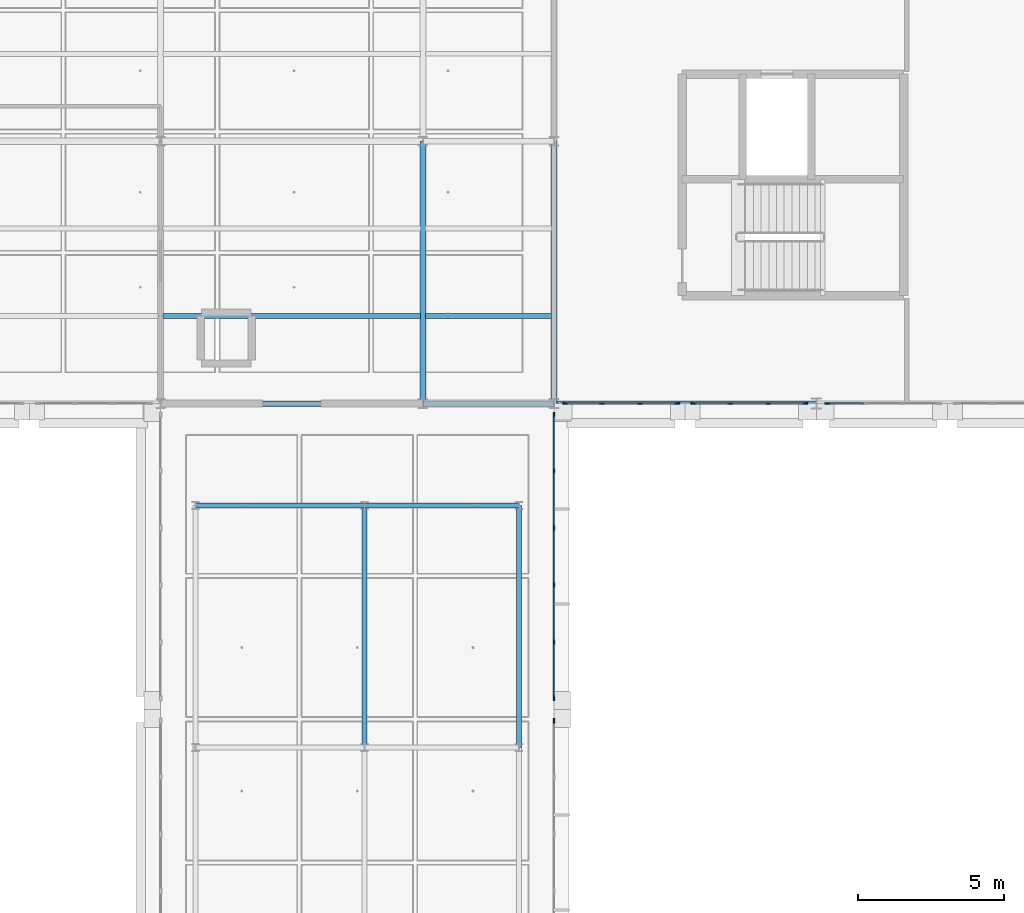
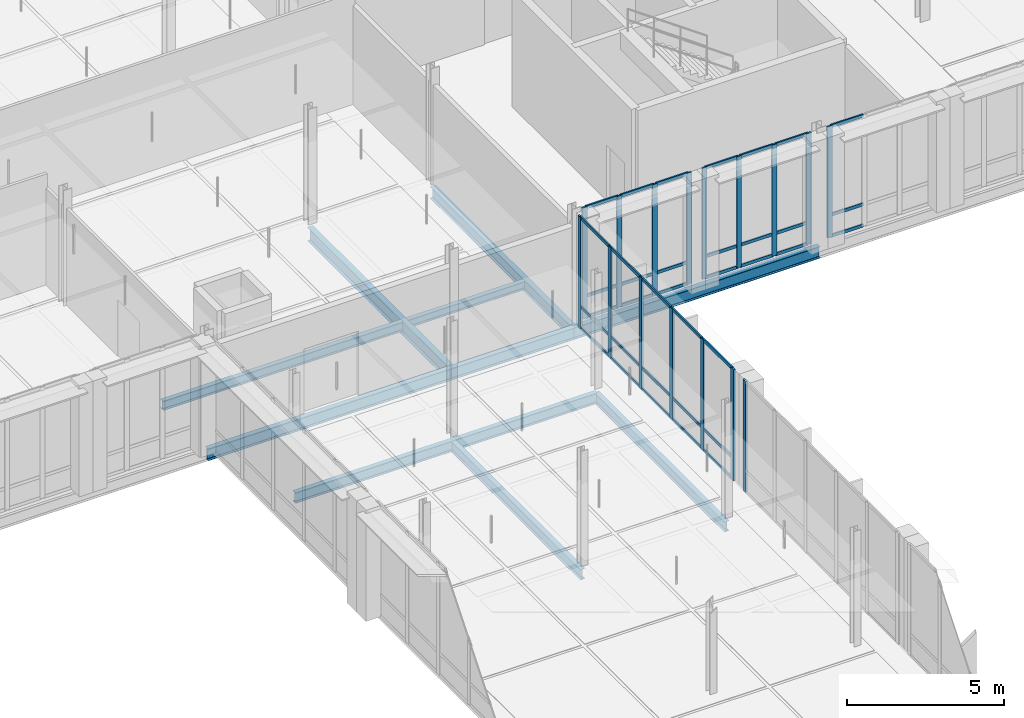
# One storey, part 53 of 140: 52 members, 11 beams, 5 elements without a shape of their own.
"""IFC4 building model written with IfcOpenShell, lengths in metres."""

from ifc_helpers import new_model, si_unit, direction, frame, origin, origin_2d, place, context, subcontext, project, spatial, rectangle, i_section, extrude, material, material_profile, profile_set, type_object, element, aggregate, save


model = new_model("IFC4")

# Units and contexts
model_context = context("Model", 3, precision=1e-05, world=origin(), true_north=direction((0.0, 1.0)))
body_context = subcontext(model_context, "Body", "Model", "MODEL_VIEW")
ifc_project = project(units=[si_unit("LENGTHUNIT", "METRE"), si_unit("AREAUNIT", "SQUARE_METRE"), si_unit("VOLUMEUNIT", "CUBIC_METRE"), si_unit("PLANEANGLEUNIT", "RADIAN"), si_unit("MASSUNIT", "GRAM", prefix="KILO"), si_unit("THERMODYNAMICTEMPERATUREUNIT", "KELVIN"), si_unit("POWERUNIT", "WATT")], contexts=[model_context])

# Site, building, storey
site_placement = place(None, origin())
site = spatial("IfcSite", under=ifc_project, at=site_placement, CompositionType="ELEMENT")
building_placement = place(site_placement, origin())
building = spatial("IfcBuilding", under=site, at=building_placement, Name="Tallowbark Science Centre", CompositionType="ELEMENT")
storey_placement = place(building_placement, frame((0.0, 0.0, 9.89990234375)))
storey = spatial("IfcBuildingStorey", under=building, at=storey_placement, Name="L02", CompositionType="ELEMENT", Elevation=9.89990234375)

# Beams
ifc_material_1 = material(Name="Structural Steel Grade 300PLUS (300 MPa)", Category="steel")
ifc_material_profile_1 = material_profile(ifc_material_1, i_section(OverallWidth=0.177734375, OverallDepth=0.406494140625, WebThickness=0.0078125, FlangeThickness=0.0126953125, FilletRadius=0.011474609375, at=origin_2d()), Name="410UB59.7")
ifc_profile_set_1 = profile_set([ifc_material_profile_1], Name="Structural Steel Grade 300PLUS (300 MPa)")
beam_type_1 = type_object("IfcBeamType", Name="BM-UB410", PredefinedType="BEAM", material=ifc_profile_set_1)
beam_1_placement = place(storey_placement, frame((100.199951171875, 68.5, -0.383056640625), z_axis=(1.0, 0.0, 0.0), x_axis=(0.0, 1.0, 0.0)))
element("IfcBeam", 1, at=beam_1_placement, inside=storey, type_object=beam_type_1, Name="Primary Girder GRDX-L02-1002-1060-685", PredefinedType="BEAM", context=body_context, shape_type="SweptSolid", body=[
    extrude(i_section(OverallWidth=0.177734375, OverallDepth=0.406494140625, WebThickness=0.0078125, FlangeThickness=0.0126953125, FilletRadius=0.011474609375, at=origin_2d()), origin(), (0.0, 0.0, 1.0), 5.800048828125),
])
beam_2_placement = place(storey_placement, frame((106.0, 68.5, -0.383056640625), z_axis=(1.0, 0.0, 0.0), x_axis=(0.0, 1.0, 0.0)))
element("IfcBeam", 2, at=beam_2_placement, inside=storey, type_object=beam_type_1, Name="Primary Girder GRDX-L02-1060-1113-685", PredefinedType="BEAM", context=body_context, shape_type="SweptSolid", body=[
    extrude(i_section(OverallWidth=0.177734375, OverallDepth=0.406494140625, WebThickness=0.0078125, FlangeThickness=0.0126953125, FilletRadius=0.011474609375, at=origin_2d()), origin(), (0.0, 0.0, 1.0), 5.300048828125),
])
for number, where, z_axis, x_axis, name in (
    (3, (106.0, 60.199951171875, -0.383056640625), (0.0, 1.0, 0.0), (-1.0, 0.0, 0.0), "Primary Girder GRDY-L02-1060-602-685"),
    (4, (111.300048828125, 60.199951171875, -0.383056640625), (0.0, 1.0, 0.0), (-1.0, 0.0, 0.0), "Primary Girder GRDY-L02-1113-602-685"),
):
    element("IfcBeam", number, at=place(storey_placement, frame(where, z_axis=z_axis, x_axis=x_axis)), inside=storey, type_object=beam_type_1, Name=name, PredefinedType="BEAM", context=body_context, shape_type="SweptSolid", body=[
        extrude(i_section(OverallWidth=0.177734375, OverallDepth=0.406494140625, WebThickness=0.0078125, FlangeThickness=0.0126953125, FilletRadius=0.011474609375, at=origin_2d()), origin(), (0.0, 0.0, 1.0), 8.300048828125),
    ])
ifc_material_profile_2 = material_profile(ifc_material_1, i_section(OverallWidth=0.208740234375, OverallDepth=0.5283203125, WebThickness=0.009521484375, FlangeThickness=0.01318359375, FilletRadius=0.013916015625, at=origin_2d()), Name="530UB82.0")
ifc_profile_set_2 = profile_set([ifc_material_profile_2], Name="Structural Steel Grade 300PLUS (300 MPa)")
beam_type_2 = type_object("IfcBeamType", Name="BM-UB530B", PredefinedType="BEAM", material=ifc_profile_set_2)
beam_3_placement = place(storey_placement, frame((108.0, 72.0, -0.444091796875), z_axis=(0.0, 1.0, 0.0), x_axis=(-1.0, 0.0, 0.0)))
element("IfcBeam", 5, at=beam_3_placement, inside=storey, type_object=beam_type_2, Name="Primary Girder GRDY-L02-1080-720-810", PredefinedType="BEAM", context=body_context, shape_type="SweptSolid", body=[
    extrude(i_section(OverallWidth=0.208740234375, OverallDepth=0.5283203125, WebThickness=0.009521484375, FlangeThickness=0.01318359375, FilletRadius=0.013916015625, at=origin_2d()), origin(), (0.0, 0.0, 1.0), 9.0),
])

# Curtain wall, member
ifc_material_2 = material(Name="Unitised Thermally Broken Aluminium and Low-E Double Glazing", Category="aluminium")
curtain_wall_type = type_object("IfcCurtainWallType", Name="CW-SYS-FACADE", PredefinedType="NOTDEFINED", material=ifc_material_2)
curtain_wall_1_placement = place(storey_placement, origin())
curtain_wall_1 = element("IfcCurtainWall", 6, at=curtain_wall_1_placement, inside=storey, type_object=curtain_wall_type, Name="Unitised Curtain Wall LNK-E-1 CW-L02-019", PredefinedType="NOTDEFINED")
ifc_material_3 = material(Name="Anodised Architectural Aluminium Alloy 6063-T6", Category="aluminium")
ifc_material_profile_3 = material_profile(ifc_material_3, rectangle(XDim=0.06494140625, YDim=0.179931640625, at=origin_2d()), Name="ALU65x180")
ifc_profile_set_3 = profile_set([ifc_material_profile_3], Name="Anodised Architectural Aluminium Alloy 6063-T6")
member_type_1 = type_object("IfcMemberType", Name="CWM-MUL-220", PredefinedType="MULLION", material=ifc_profile_set_3)
member_1_placement = place(storey_placement, frame((112.5, 61.117431640625, 0.0), z_axis=(0.0, 0.0, 1.0), x_axis=(-1.0, 0.0, 0.0)))
member_1 = element("IfcMember", 7, at=member_1_placement, type_object=member_type_1, Name="CW-01 mullion 6", PredefinedType="MULLION", context=body_context, shape_type="SweptSolid", body=[
    extrude(rectangle(XDim=0.06494140625, YDim=0.179931640625, at=origin_2d()), origin(), (0.0, 0.0, 1.0), 4.320068359375),
])
aggregate(curtain_wall_1, [member_1])

# Curtain wall, members
curtain_wall_2_placement = place(storey_placement, origin())
curtain_wall_2 = element("IfcCurtainWall", 8, at=curtain_wall_2_placement, inside=storey, type_object=curtain_wall_type, Name="Unitised Curtain Wall LNK-E-2 CW-L02-021", PredefinedType="NOTDEFINED")
member_2_placement = place(storey_placement, frame((112.5, 61.882568359375, 0.0), z_axis=(0.0, 0.0, 1.0), x_axis=(-1.0, 0.0, 0.0)))
member_2 = element("IfcMember", 9, at=member_2_placement, type_object=member_type_1, Name="CW-01 mullion 1", PredefinedType="MULLION", context=body_context, shape_type="SweptSolid", body=[
    extrude(rectangle(XDim=0.06494140625, YDim=0.179931640625, at=origin_2d()), origin(), (0.0, 0.0, 1.0), 4.320068359375),
])
member_3_placement = place(storey_placement, frame((112.5, 63.81005859375, 0.0), z_axis=(0.0, 0.0, 1.0), x_axis=(-1.0, 0.0, 0.0)))
member_3 = element("IfcMember", 10, at=member_3_placement, type_object=member_type_1, Name="CW-01 mullion 2", PredefinedType="MULLION", context=body_context, shape_type="SweptSolid", body=[
    extrude(rectangle(XDim=0.06494140625, YDim=0.179931640625, at=origin_2d()), origin(), (0.0, 0.0, 1.0), 4.320068359375),
])
member_4_placement = place(storey_placement, frame((112.5, 65.77001953125, 0.0), z_axis=(0.0, 0.0, 1.0), x_axis=(-1.0, 0.0, 0.0)))
member_4 = element("IfcMember", 11, at=member_4_placement, type_object=member_type_1, Name="CW-01 mullion 3", PredefinedType="MULLION", context=body_context, shape_type="SweptSolid", body=[
    extrude(rectangle(XDim=0.06494140625, YDim=0.179931640625, at=origin_2d()), origin(), (0.0, 0.0, 1.0), 4.320068359375),
])
member_5_placement = place(storey_placement, frame((112.5, 67.72998046875, 0.0), z_axis=(0.0, 0.0, 1.0), x_axis=(-1.0, 0.0, 0.0)))
member_5 = element("IfcMember", 12, at=member_5_placement, type_object=member_type_1, Name="CW-01 mullion 4", PredefinedType="MULLION", context=body_context, shape_type="SweptSolid", body=[
    extrude(rectangle(XDim=0.06494140625, YDim=0.179931640625, at=origin_2d()), origin(), (0.0, 0.0, 1.0), 4.320068359375),
])
member_6_placement = place(storey_placement, frame((112.5, 69.68994140625, 0.0), z_axis=(0.0, 0.0, 1.0), x_axis=(-1.0, 0.0, 0.0)))
member_6 = element("IfcMember", 13, at=member_6_placement, type_object=member_type_1, Name="CW-01 mullion 5", PredefinedType="MULLION", context=body_context, shape_type="SweptSolid", body=[
    extrude(rectangle(XDim=0.06494140625, YDim=0.179931640625, at=origin_2d()), origin(), (0.0, 0.0, 1.0), 4.320068359375),
])
member_7_placement = place(storey_placement, frame((112.5, 71.617431640625, 0.0), z_axis=(0.0, 0.0, 1.0), x_axis=(-1.0, 0.0, 0.0)))
member_7 = element("IfcMember", 14, at=member_7_placement, type_object=member_type_1, Name="CW-01 mullion 6", PredefinedType="MULLION", context=body_context, shape_type="SweptSolid", body=[
    extrude(rectangle(XDim=0.06494140625, YDim=0.179931640625, at=origin_2d()), origin(), (0.0, 0.0, 1.0), 4.320068359375),
])

curtain_wall_3_placement = place(storey_placement, origin())
curtain_wall_3 = element("IfcCurtainWall", 15, at=curtain_wall_3_placement, inside=storey, type_object=curtain_wall_type, Name="Unitised Curtain Wall OBS-S-112A CW-L02-138", PredefinedType="NOTDEFINED")
member_8_placement = place(storey_placement, frame((112.882568359375, 72.0, 0.0), z_axis=(0.0, 0.0, 1.0), x_axis=(0.0, 1.0, 0.0)))
member_8 = element("IfcMember", 16, at=member_8_placement, type_object=member_type_1, Name="CW-01 mullion 1", PredefinedType="MULLION", context=body_context, shape_type="SweptSolid", body=[
    extrude(rectangle(XDim=0.06494140625, YDim=0.179931640625, at=origin_2d()), origin(), (0.0, 0.0, 1.0), 4.320068359375),
])
member_9_placement = place(storey_placement, frame((114.14990234375, 72.0, 0.0), z_axis=(0.0, 0.0, 1.0), x_axis=(0.0, 1.0, 0.0)))
member_9 = element("IfcMember", 17, at=member_9_placement, type_object=member_type_1, Name="CW-01 mullion 2", PredefinedType="MULLION", context=body_context, shape_type="SweptSolid", body=[
    extrude(rectangle(XDim=0.06494140625, YDim=0.179931640625, at=origin_2d()), origin(), (0.0, 0.0, 1.0), 4.320068359375),
])
member_10_placement = place(storey_placement, frame((115.449951171875, 72.0, 0.0), z_axis=(0.0, 0.0, 1.0), x_axis=(0.0, 1.0, 0.0)))
member_10 = element("IfcMember", 18, at=member_10_placement, type_object=member_type_1, Name="CW-01 mullion 3", PredefinedType="MULLION", context=body_context, shape_type="SweptSolid", body=[
    extrude(rectangle(XDim=0.06494140625, YDim=0.179931640625, at=origin_2d()), origin(), (0.0, 0.0, 1.0), 4.320068359375),
])
member_11_placement = place(storey_placement, frame((116.717529296875, 72.0, 0.0), z_axis=(0.0, 0.0, 1.0), x_axis=(0.0, 1.0, 0.0)))
member_11 = element("IfcMember", 19, at=member_11_placement, type_object=member_type_1, Name="CW-01 mullion 4", PredefinedType="MULLION", context=body_context, shape_type="SweptSolid", body=[
    extrude(rectangle(XDim=0.06494140625, YDim=0.179931640625, at=origin_2d()), origin(), (0.0, 0.0, 1.0), 4.320068359375),
])

curtain_wall_4_placement = place(storey_placement, origin())
curtain_wall_4 = element("IfcCurtainWall", 20, at=curtain_wall_4_placement, inside=storey, type_object=curtain_wall_type, Name="Unitised Curtain Wall OBS-S-112B CW-L02-139", PredefinedType="NOTDEFINED")
member_12_placement = place(storey_placement, frame((117.282470703125, 72.0, 0.0), z_axis=(0.0, 0.0, 1.0), x_axis=(0.0, 1.0, 0.0)))
member_12 = element("IfcMember", 21, at=member_12_placement, type_object=member_type_1, Name="CW-01 mullion 1", PredefinedType="MULLION", context=body_context, shape_type="SweptSolid", body=[
    extrude(rectangle(XDim=0.06494140625, YDim=0.179931640625, at=origin_2d()), origin(), (0.0, 0.0, 1.0), 4.320068359375),
])
member_13_placement = place(storey_placement, frame((118.550048828125, 72.0, 0.0), z_axis=(0.0, 0.0, 1.0), x_axis=(0.0, 1.0, 0.0)))
member_13 = element("IfcMember", 22, at=member_13_placement, type_object=member_type_1, Name="CW-01 mullion 2", PredefinedType="MULLION", context=body_context, shape_type="SweptSolid", body=[
    extrude(rectangle(XDim=0.06494140625, YDim=0.179931640625, at=origin_2d()), origin(), (0.0, 0.0, 1.0), 4.320068359375),
])
member_14_placement = place(storey_placement, frame((119.85009765625, 72.0, 0.0), z_axis=(0.0, 0.0, 1.0), x_axis=(0.0, 1.0, 0.0)))
member_14 = element("IfcMember", 23, at=member_14_placement, type_object=member_type_1, Name="CW-01 mullion 3", PredefinedType="MULLION", context=body_context, shape_type="SweptSolid", body=[
    extrude(rectangle(XDim=0.06494140625, YDim=0.179931640625, at=origin_2d()), origin(), (0.0, 0.0, 1.0), 4.320068359375),
])
member_15_placement = place(storey_placement, frame((121.117431640625, 72.0, 0.0), z_axis=(0.0, 0.0, 1.0), x_axis=(0.0, 1.0, 0.0)))
member_15 = element("IfcMember", 24, at=member_15_placement, type_object=member_type_1, Name="CW-01 mullion 4", PredefinedType="MULLION", context=body_context, shape_type="SweptSolid", body=[
    extrude(rectangle(XDim=0.06494140625, YDim=0.179931640625, at=origin_2d()), origin(), (0.0, 0.0, 1.0), 4.320068359375),
])

# Curtain wall, member
curtain_wall_5_placement = place(storey_placement, origin())
curtain_wall_5 = element("IfcCurtainWall", 25, at=curtain_wall_5_placement, inside=storey, type_object=curtain_wall_type, Name="Unitised Curtain Wall OBS-S-121A CW-L02-142", PredefinedType="NOTDEFINED")
member_16_placement = place(storey_placement, frame((121.882568359375, 72.0, 0.0), z_axis=(0.0, 0.0, 1.0), x_axis=(0.0, 1.0, 0.0)))
member_16 = element("IfcMember", 26, at=member_16_placement, type_object=member_type_1, Name="CW-01 mullion 1", PredefinedType="MULLION", context=body_context, shape_type="SweptSolid", body=[
    extrude(rectangle(XDim=0.06494140625, YDim=0.179931640625, at=origin_2d()), origin(), (0.0, 0.0, 1.0), 4.320068359375),
])

# Member
ifc_material_profile_4 = material_profile(ifc_material_3, rectangle(XDim=0.054931640625, YDim=0.1201171875, at=origin_2d()), Name="ALU55x120")
ifc_profile_set_4 = profile_set([ifc_material_profile_4], Name="Anodised Architectural Aluminium Alloy 6063-T6")
member_type_2 = type_object("IfcMemberType", Name="CWM-TRN-150", PredefinedType="USERDEFINED", material=ifc_profile_set_4)
member_17_placement = place(storey_placement, frame((112.5, 61.9150390625, 0.027587890625), z_axis=(0.0, 1.0, 0.0), x_axis=(-1.0, 0.0, 0.0)))
member_17 = element("IfcMember", 27, at=member_17_placement, type_object=member_type_2, Name="CW-01 transom 1.1", ObjectType="TRANSOM", PredefinedType="USERDEFINED", context=body_context, shape_type="SweptSolid", body=[
    extrude(rectangle(XDim=0.054931640625, YDim=0.1201171875, at=origin_2d()), origin(), (0.0, 0.0, 1.0), 1.862548828125),
])

member_18_placement = place(storey_placement, frame((112.5, 61.9150390625, 0.85009765625), z_axis=(0.0, 1.0, 0.0), x_axis=(-1.0, 0.0, 0.0)))
member_18 = element("IfcMember", 28, at=member_18_placement, type_object=member_type_2, Name="CW-01 transom 1.2", ObjectType="TRANSOM", PredefinedType="USERDEFINED", context=body_context, shape_type="SweptSolid", body=[
    extrude(rectangle(XDim=0.054931640625, YDim=0.1201171875, at=origin_2d()), origin(), (0.0, 0.0, 1.0), 1.862548828125),
])

member_19_placement = place(storey_placement, frame((112.5, 61.9150390625, 4.29248046875), z_axis=(0.0, 1.0, 0.0), x_axis=(-1.0, 0.0, 0.0)))
member_19 = element("IfcMember", 29, at=member_19_placement, type_object=member_type_2, Name="CW-01 transom 1.3", ObjectType="TRANSOM", PredefinedType="USERDEFINED", context=body_context, shape_type="SweptSolid", body=[
    extrude(rectangle(XDim=0.054931640625, YDim=0.1201171875, at=origin_2d()), origin(), (0.0, 0.0, 1.0), 1.862548828125),
])

member_20_placement = place(storey_placement, frame((112.5, 63.842529296875, 0.027587890625), z_axis=(0.0, 1.0, 0.0), x_axis=(-1.0, 0.0, 0.0)))
member_20 = element("IfcMember", 30, at=member_20_placement, type_object=member_type_2, Name="CW-01 transom 2.1", ObjectType="TRANSOM", PredefinedType="USERDEFINED", context=body_context, shape_type="SweptSolid", body=[
    extrude(rectangle(XDim=0.054931640625, YDim=0.1201171875, at=origin_2d()), origin(), (0.0, 0.0, 1.0), 1.89501953125),
])

member_21_placement = place(storey_placement, frame((112.5, 63.842529296875, 0.85009765625), z_axis=(0.0, 1.0, 0.0), x_axis=(-1.0, 0.0, 0.0)))
member_21 = element("IfcMember", 31, at=member_21_placement, type_object=member_type_2, Name="CW-01 transom 2.2", ObjectType="TRANSOM", PredefinedType="USERDEFINED", context=body_context, shape_type="SweptSolid", body=[
    extrude(rectangle(XDim=0.054931640625, YDim=0.1201171875, at=origin_2d()), origin(), (0.0, 0.0, 1.0), 1.89501953125),
])

member_22_placement = place(storey_placement, frame((112.5, 63.842529296875, 4.29248046875), z_axis=(0.0, 1.0, 0.0), x_axis=(-1.0, 0.0, 0.0)))
member_22 = element("IfcMember", 32, at=member_22_placement, type_object=member_type_2, Name="CW-01 transom 2.3", ObjectType="TRANSOM", PredefinedType="USERDEFINED", context=body_context, shape_type="SweptSolid", body=[
    extrude(rectangle(XDim=0.054931640625, YDim=0.1201171875, at=origin_2d()), origin(), (0.0, 0.0, 1.0), 1.89501953125),
])

member_23_placement = place(storey_placement, frame((112.5, 65.802490234375, 0.027587890625), z_axis=(0.0, 1.0, 0.0), x_axis=(-1.0, 0.0, 0.0)))
member_23 = element("IfcMember", 33, at=member_23_placement, type_object=member_type_2, Name="CW-01 transom 3.1", ObjectType="TRANSOM", PredefinedType="USERDEFINED", context=body_context, shape_type="SweptSolid", body=[
    extrude(rectangle(XDim=0.054931640625, YDim=0.1201171875, at=origin_2d()), origin(), (0.0, 0.0, 1.0), 1.89501953125),
])

member_24_placement = place(storey_placement, frame((112.5, 65.802490234375, 0.85009765625), z_axis=(0.0, 1.0, 0.0), x_axis=(-1.0, 0.0, 0.0)))
member_24 = element("IfcMember", 34, at=member_24_placement, type_object=member_type_2, Name="CW-01 transom 3.2", ObjectType="TRANSOM", PredefinedType="USERDEFINED", context=body_context, shape_type="SweptSolid", body=[
    extrude(rectangle(XDim=0.054931640625, YDim=0.1201171875, at=origin_2d()), origin(), (0.0, 0.0, 1.0), 1.89501953125),
])

member_25_placement = place(storey_placement, frame((112.5, 65.802490234375, 4.29248046875), z_axis=(0.0, 1.0, 0.0), x_axis=(-1.0, 0.0, 0.0)))
member_25 = element("IfcMember", 35, at=member_25_placement, type_object=member_type_2, Name="CW-01 transom 3.3", ObjectType="TRANSOM", PredefinedType="USERDEFINED", context=body_context, shape_type="SweptSolid", body=[
    extrude(rectangle(XDim=0.054931640625, YDim=0.1201171875, at=origin_2d()), origin(), (0.0, 0.0, 1.0), 1.89501953125),
])

member_26_placement = place(storey_placement, frame((112.5, 67.762451171875, 0.027587890625), z_axis=(0.0, 1.0, 0.0), x_axis=(-1.0, 0.0, 0.0)))
member_26 = element("IfcMember", 36, at=member_26_placement, type_object=member_type_2, Name="CW-01 transom 4.1", ObjectType="TRANSOM", PredefinedType="USERDEFINED", context=body_context, shape_type="SweptSolid", body=[
    extrude(rectangle(XDim=0.054931640625, YDim=0.1201171875, at=origin_2d()), origin(), (0.0, 0.0, 1.0), 1.89501953125),
])

member_27_placement = place(storey_placement, frame((112.5, 67.762451171875, 0.85009765625), z_axis=(0.0, 1.0, 0.0), x_axis=(-1.0, 0.0, 0.0)))
member_27 = element("IfcMember", 37, at=member_27_placement, type_object=member_type_2, Name="CW-01 transom 4.2", ObjectType="TRANSOM", PredefinedType="USERDEFINED", context=body_context, shape_type="SweptSolid", body=[
    extrude(rectangle(XDim=0.054931640625, YDim=0.1201171875, at=origin_2d()), origin(), (0.0, 0.0, 1.0), 1.89501953125),
])

member_28_placement = place(storey_placement, frame((112.5, 67.762451171875, 4.29248046875), z_axis=(0.0, 1.0, 0.0), x_axis=(-1.0, 0.0, 0.0)))
member_28 = element("IfcMember", 38, at=member_28_placement, type_object=member_type_2, Name="CW-01 transom 4.3", ObjectType="TRANSOM", PredefinedType="USERDEFINED", context=body_context, shape_type="SweptSolid", body=[
    extrude(rectangle(XDim=0.054931640625, YDim=0.1201171875, at=origin_2d()), origin(), (0.0, 0.0, 1.0), 1.89501953125),
])

member_29_placement = place(storey_placement, frame((112.5, 69.722412109375, 0.027587890625), z_axis=(0.0, 1.0, 0.0), x_axis=(-1.0, 0.0, 0.0)))
member_29 = element("IfcMember", 39, at=member_29_placement, type_object=member_type_2, Name="CW-01 transom 5.1", ObjectType="TRANSOM", PredefinedType="USERDEFINED", context=body_context, shape_type="SweptSolid", body=[
    extrude(rectangle(XDim=0.054931640625, YDim=0.1201171875, at=origin_2d()), origin(), (0.0, 0.0, 1.0), 1.862548828125),
])

member_30_placement = place(storey_placement, frame((112.5, 69.722412109375, 0.85009765625), z_axis=(0.0, 1.0, 0.0), x_axis=(-1.0, 0.0, 0.0)))
member_30 = element("IfcMember", 40, at=member_30_placement, type_object=member_type_2, Name="CW-01 transom 5.2", ObjectType="TRANSOM", PredefinedType="USERDEFINED", context=body_context, shape_type="SweptSolid", body=[
    extrude(rectangle(XDim=0.054931640625, YDim=0.1201171875, at=origin_2d()), origin(), (0.0, 0.0, 1.0), 1.862548828125),
])

member_31_placement = place(storey_placement, frame((112.5, 69.722412109375, 4.29248046875), z_axis=(0.0, 1.0, 0.0), x_axis=(-1.0, 0.0, 0.0)))
member_31 = element("IfcMember", 41, at=member_31_placement, type_object=member_type_2, Name="CW-01 transom 5.3", ObjectType="TRANSOM", PredefinedType="USERDEFINED", context=body_context, shape_type="SweptSolid", body=[
    extrude(rectangle(XDim=0.054931640625, YDim=0.1201171875, at=origin_2d()), origin(), (0.0, 0.0, 1.0), 1.862548828125),
])

aggregate(curtain_wall_2, [member_2, member_3, member_4, member_5, member_6, member_7, member_17, member_18, member_19, member_20, member_21, member_22, member_23, member_24, member_25, member_26, member_27, member_28, member_29, member_30, member_31])

member_32_placement = place(storey_placement, frame((112.9150390625, 72.0, 0.027587890625), z_axis=(1.0, 0.0, 0.0), x_axis=(0.0, 1.0, 0.0)))
member_32 = element("IfcMember", 42, at=member_32_placement, type_object=member_type_2, Name="CW-01 transom 1.1", ObjectType="TRANSOM", PredefinedType="USERDEFINED", context=body_context, shape_type="SweptSolid", body=[
    extrude(rectangle(XDim=0.054931640625, YDim=0.1201171875, at=origin_2d()), origin(), (0.0, 0.0, 1.0), 1.202392578125),
])

member_33_placement = place(storey_placement, frame((112.9150390625, 72.0, 0.85009765625), z_axis=(1.0, 0.0, 0.0), x_axis=(0.0, 1.0, 0.0)))
member_33 = element("IfcMember", 43, at=member_33_placement, type_object=member_type_2, Name="CW-01 transom 1.2", ObjectType="TRANSOM", PredefinedType="USERDEFINED", context=body_context, shape_type="SweptSolid", body=[
    extrude(rectangle(XDim=0.054931640625, YDim=0.1201171875, at=origin_2d()), origin(), (0.0, 0.0, 1.0), 1.202392578125),
])

member_34_placement = place(storey_placement, frame((112.9150390625, 72.0, 4.29248046875), z_axis=(1.0, 0.0, 0.0), x_axis=(0.0, 1.0, 0.0)))
member_34 = element("IfcMember", 44, at=member_34_placement, type_object=member_type_2, Name="CW-01 transom 1.3", ObjectType="TRANSOM", PredefinedType="USERDEFINED", context=body_context, shape_type="SweptSolid", body=[
    extrude(rectangle(XDim=0.054931640625, YDim=0.1201171875, at=origin_2d()), origin(), (0.0, 0.0, 1.0), 1.202392578125),
])

member_35_placement = place(storey_placement, frame((114.1826171875, 72.0, 0.027587890625), z_axis=(1.0, 0.0, 0.0), x_axis=(0.0, 1.0, 0.0)))
member_35 = element("IfcMember", 45, at=member_35_placement, type_object=member_type_2, Name="CW-01 transom 2.1", ObjectType="TRANSOM", PredefinedType="USERDEFINED", context=body_context, shape_type="SweptSolid", body=[
    extrude(rectangle(XDim=0.054931640625, YDim=0.1201171875, at=origin_2d()), origin(), (0.0, 0.0, 1.0), 1.23486328125),
])

member_36_placement = place(storey_placement, frame((114.1826171875, 72.0, 0.85009765625), z_axis=(1.0, 0.0, 0.0), x_axis=(0.0, 1.0, 0.0)))
member_36 = element("IfcMember", 46, at=member_36_placement, type_object=member_type_2, Name="CW-01 transom 2.2", ObjectType="TRANSOM", PredefinedType="USERDEFINED", context=body_context, shape_type="SweptSolid", body=[
    extrude(rectangle(XDim=0.054931640625, YDim=0.1201171875, at=origin_2d()), origin(), (0.0, 0.0, 1.0), 1.23486328125),
])

member_37_placement = place(storey_placement, frame((114.1826171875, 72.0, 4.29248046875), z_axis=(1.0, 0.0, 0.0), x_axis=(0.0, 1.0, 0.0)))
member_37 = element("IfcMember", 47, at=member_37_placement, type_object=member_type_2, Name="CW-01 transom 2.3", ObjectType="TRANSOM", PredefinedType="USERDEFINED", context=body_context, shape_type="SweptSolid", body=[
    extrude(rectangle(XDim=0.054931640625, YDim=0.1201171875, at=origin_2d()), origin(), (0.0, 0.0, 1.0), 1.23486328125),
])

member_38_placement = place(storey_placement, frame((115.482421875, 72.0, 0.027587890625), z_axis=(1.0, 0.0, 0.0), x_axis=(0.0, 1.0, 0.0)))
member_38 = element("IfcMember", 48, at=member_38_placement, type_object=member_type_2, Name="CW-01 transom 3.1", ObjectType="TRANSOM", PredefinedType="USERDEFINED", context=body_context, shape_type="SweptSolid", body=[
    extrude(rectangle(XDim=0.054931640625, YDim=0.1201171875, at=origin_2d()), origin(), (0.0, 0.0, 1.0), 1.20263671875),
])

member_39_placement = place(storey_placement, frame((115.482421875, 72.0, 0.85009765625), z_axis=(1.0, 0.0, 0.0), x_axis=(0.0, 1.0, 0.0)))
member_39 = element("IfcMember", 49, at=member_39_placement, type_object=member_type_2, Name="CW-01 transom 3.2", ObjectType="TRANSOM", PredefinedType="USERDEFINED", context=body_context, shape_type="SweptSolid", body=[
    extrude(rectangle(XDim=0.054931640625, YDim=0.1201171875, at=origin_2d()), origin(), (0.0, 0.0, 1.0), 1.20263671875),
])

member_40_placement = place(storey_placement, frame((115.482421875, 72.0, 4.29248046875), z_axis=(1.0, 0.0, 0.0), x_axis=(0.0, 1.0, 0.0)))
member_40 = element("IfcMember", 50, at=member_40_placement, type_object=member_type_2, Name="CW-01 transom 3.3", ObjectType="TRANSOM", PredefinedType="USERDEFINED", context=body_context, shape_type="SweptSolid", body=[
    extrude(rectangle(XDim=0.054931640625, YDim=0.1201171875, at=origin_2d()), origin(), (0.0, 0.0, 1.0), 1.20263671875),
])

aggregate(curtain_wall_3, [member_8, member_9, member_10, member_11, member_32, member_33, member_34, member_35, member_36, member_37, member_38, member_39, member_40])

member_41_placement = place(storey_placement, frame((117.31494140625, 72.0, 0.027587890625), z_axis=(1.0, 0.0, 0.0), x_axis=(0.0, 1.0, 0.0)))
member_41 = element("IfcMember", 51, at=member_41_placement, type_object=member_type_2, Name="CW-01 transom 1.1", ObjectType="TRANSOM", PredefinedType="USERDEFINED", context=body_context, shape_type="SweptSolid", body=[
    extrude(rectangle(XDim=0.054931640625, YDim=0.1201171875, at=origin_2d()), origin(), (0.0, 0.0, 1.0), 1.20263671875),
])

member_42_placement = place(storey_placement, frame((117.31494140625, 72.0, 0.85009765625), z_axis=(1.0, 0.0, 0.0), x_axis=(0.0, 1.0, 0.0)))
member_42 = element("IfcMember", 52, at=member_42_placement, type_object=member_type_2, Name="CW-01 transom 1.2", ObjectType="TRANSOM", PredefinedType="USERDEFINED", context=body_context, shape_type="SweptSolid", body=[
    extrude(rectangle(XDim=0.054931640625, YDim=0.1201171875, at=origin_2d()), origin(), (0.0, 0.0, 1.0), 1.20263671875),
])

member_43_placement = place(storey_placement, frame((117.31494140625, 72.0, 4.29248046875), z_axis=(1.0, 0.0, 0.0), x_axis=(0.0, 1.0, 0.0)))
member_43 = element("IfcMember", 53, at=member_43_placement, type_object=member_type_2, Name="CW-01 transom 1.3", ObjectType="TRANSOM", PredefinedType="USERDEFINED", context=body_context, shape_type="SweptSolid", body=[
    extrude(rectangle(XDim=0.054931640625, YDim=0.1201171875, at=origin_2d()), origin(), (0.0, 0.0, 1.0), 1.20263671875),
])

member_44_placement = place(storey_placement, frame((118.58251953125, 72.0, 0.027587890625), z_axis=(1.0, 0.0, 0.0), x_axis=(0.0, 1.0, 0.0)))
member_44 = element("IfcMember", 54, at=member_44_placement, type_object=member_type_2, Name="CW-01 transom 2.1", ObjectType="TRANSOM", PredefinedType="USERDEFINED", context=body_context, shape_type="SweptSolid", body=[
    extrude(rectangle(XDim=0.054931640625, YDim=0.1201171875, at=origin_2d()), origin(), (0.0, 0.0, 1.0), 1.23486328125),
])

member_45_placement = place(storey_placement, frame((118.58251953125, 72.0, 0.85009765625), z_axis=(1.0, 0.0, 0.0), x_axis=(0.0, 1.0, 0.0)))
member_45 = element("IfcMember", 55, at=member_45_placement, type_object=member_type_2, Name="CW-01 transom 2.2", ObjectType="TRANSOM", PredefinedType="USERDEFINED", context=body_context, shape_type="SweptSolid", body=[
    extrude(rectangle(XDim=0.054931640625, YDim=0.1201171875, at=origin_2d()), origin(), (0.0, 0.0, 1.0), 1.23486328125),
])

member_46_placement = place(storey_placement, frame((118.58251953125, 72.0, 4.29248046875), z_axis=(1.0, 0.0, 0.0), x_axis=(0.0, 1.0, 0.0)))
member_46 = element("IfcMember", 56, at=member_46_placement, type_object=member_type_2, Name="CW-01 transom 2.3", ObjectType="TRANSOM", PredefinedType="USERDEFINED", context=body_context, shape_type="SweptSolid", body=[
    extrude(rectangle(XDim=0.054931640625, YDim=0.1201171875, at=origin_2d()), origin(), (0.0, 0.0, 1.0), 1.23486328125),
])

member_47_placement = place(storey_placement, frame((119.882568359375, 72.0, 0.027587890625), z_axis=(1.0, 0.0, 0.0), x_axis=(0.0, 1.0, 0.0)))
member_47 = element("IfcMember", 57, at=member_47_placement, type_object=member_type_2, Name="CW-01 transom 3.1", ObjectType="TRANSOM", PredefinedType="USERDEFINED", context=body_context, shape_type="SweptSolid", body=[
    extrude(rectangle(XDim=0.054931640625, YDim=0.1201171875, at=origin_2d()), origin(), (0.0, 0.0, 1.0), 1.202392578125),
])

member_48_placement = place(storey_placement, frame((119.882568359375, 72.0, 0.85009765625), z_axis=(1.0, 0.0, 0.0), x_axis=(0.0, 1.0, 0.0)))
member_48 = element("IfcMember", 58, at=member_48_placement, type_object=member_type_2, Name="CW-01 transom 3.2", ObjectType="TRANSOM", PredefinedType="USERDEFINED", context=body_context, shape_type="SweptSolid", body=[
    extrude(rectangle(XDim=0.054931640625, YDim=0.1201171875, at=origin_2d()), origin(), (0.0, 0.0, 1.0), 1.202392578125),
])

member_49_placement = place(storey_placement, frame((119.882568359375, 72.0, 4.29248046875), z_axis=(1.0, 0.0, 0.0), x_axis=(0.0, 1.0, 0.0)))
member_49 = element("IfcMember", 59, at=member_49_placement, type_object=member_type_2, Name="CW-01 transom 3.3", ObjectType="TRANSOM", PredefinedType="USERDEFINED", context=body_context, shape_type="SweptSolid", body=[
    extrude(rectangle(XDim=0.054931640625, YDim=0.1201171875, at=origin_2d()), origin(), (0.0, 0.0, 1.0), 1.202392578125),
])

aggregate(curtain_wall_4, [member_12, member_13, member_14, member_15, member_41, member_42, member_43, member_44, member_45, member_46, member_47, member_48, member_49])

member_50_placement = place(storey_placement, frame((121.9150390625, 72.0, 0.027587890625), z_axis=(1.0, 0.0, 0.0), x_axis=(0.0, 1.0, 0.0)))
member_50 = element("IfcMember", 60, at=member_50_placement, type_object=member_type_2, Name="CW-01 transom 1.1", ObjectType="TRANSOM", PredefinedType="USERDEFINED", context=body_context, shape_type="SweptSolid", body=[
    extrude(rectangle(XDim=0.054931640625, YDim=0.1201171875, at=origin_2d()), origin(), (0.0, 0.0, 1.0), 1.202392578125),
])

member_51_placement = place(storey_placement, frame((121.9150390625, 72.0, 0.85009765625), z_axis=(1.0, 0.0, 0.0), x_axis=(0.0, 1.0, 0.0)))
member_51 = element("IfcMember", 61, at=member_51_placement, type_object=member_type_2, Name="CW-01 transom 1.2", ObjectType="TRANSOM", PredefinedType="USERDEFINED", context=body_context, shape_type="SweptSolid", body=[
    extrude(rectangle(XDim=0.054931640625, YDim=0.1201171875, at=origin_2d()), origin(), (0.0, 0.0, 1.0), 1.202392578125),
])

member_52_placement = place(storey_placement, frame((121.9150390625, 72.0, 4.29248046875), z_axis=(1.0, 0.0, 0.0), x_axis=(0.0, 1.0, 0.0)))
member_52 = element("IfcMember", 62, at=member_52_placement, type_object=member_type_2, Name="CW-01 transom 1.3", ObjectType="TRANSOM", PredefinedType="USERDEFINED", context=body_context, shape_type="SweptSolid", body=[
    extrude(rectangle(XDim=0.054931640625, YDim=0.1201171875, at=origin_2d()), origin(), (0.0, 0.0, 1.0), 1.202392578125),
])

aggregate(curtain_wall_5, [member_16, member_50, member_51, member_52])

# Beams
ifc_material_profile_5 = material_profile(ifc_material_1, i_section(OverallWidth=0.166015625, OverallDepth=0.30712890625, WebThickness=0.006591796875, FlangeThickness=0.01171875, FilletRadius=0.011474609375, at=origin_2d()), Name="310UB46.2")
ifc_profile_set_5 = profile_set([ifc_material_profile_5], Name="Structural Steel Grade 300PLUS (300 MPa)")
beam_type_3 = type_object("IfcBeamType", Name="JST-UB310", PredefinedType="JOIST", material=ifc_profile_set_5)
beam_4_placement = place(storey_placement, frame((108.0849609375, 75.0, -0.33349609375), z_axis=(1.0, 0.0, 0.0), x_axis=(0.0, 1.0, 0.0)))
element("IfcBeam", 63, at=beam_4_placement, inside=storey, type_object=beam_type_3, Name="Composite Floor Joist JSTX-L02-1080-750", PredefinedType="JOIST", context=body_context, shape_type="SweptSolid", body=[
    extrude(i_section(OverallWidth=0.166015625, OverallDepth=0.30712890625, WebThickness=0.006591796875, FlangeThickness=0.01171875, FilletRadius=0.011474609375, at=origin_2d()), origin(), (0.0, 0.0, 1.0), 4.330078125),
])
ifc_material_profile_6 = material_profile(ifc_material_1, i_section(OverallWidth=0.172119140625, OverallDepth=0.358642578125, WebThickness=0.008056640625, FlangeThickness=0.012939453125, FilletRadius=0.011474609375, at=origin_2d()), Name="360UB56.7")
ifc_profile_set_6 = profile_set([ifc_material_profile_6], Name="Structural Steel Grade 300PLUS (300 MPa)")
beam_type_4 = type_object("IfcBeamType", Name="JST-UB360", PredefinedType="JOIST", material=ifc_profile_set_6)
beam_5_placement = place(storey_placement, frame((99.0849609375, 75.0, -0.359130859375), z_axis=(1.0, 0.0, 0.0), x_axis=(0.0, 1.0, 0.0)))
element("IfcBeam", 64, at=beam_5_placement, inside=storey, type_object=beam_type_4, Name="Composite Floor Joist JSTX-L02-990-750", PredefinedType="JOIST", context=body_context, shape_type="SweptSolid", body=[
    extrude(i_section(OverallWidth=0.172119140625, OverallDepth=0.358642578125, WebThickness=0.008056640625, FlangeThickness=0.012939453125, FilletRadius=0.011474609375, at=origin_2d()), origin(), (0.0, 0.0, 1.0), 8.830078125),
])
ifc_material_profile_7 = material_profile(ifc_material_1, i_section(OverallWidth=0.18994140625, OverallDepth=0.453857421875, WebThickness=0.008544921875, FlangeThickness=0.0126953125, FilletRadius=0.011474609375, at=origin_2d()), Name="460UB67.1")
ifc_profile_set_7 = profile_set([ifc_material_profile_7], Name="Structural Steel Grade 300PLUS (300 MPa)")
beam_type_5 = type_object("IfcBeamType", Name="SPN-UB460", PredefinedType="SPANDREL", material=ifc_profile_set_7)
beam_6_placement = place(storey_placement, frame((99.0, 72.0, -0.40673828125), z_axis=(1.0, 0.0, 0.0), x_axis=(0.0, 1.0, 0.0)))
element("IfcBeam", 65, at=beam_6_placement, inside=storey, type_object=beam_type_5, Name="Primary Girder GRDX-L02-990-1080-720", PredefinedType="SPANDREL", context=body_context, shape_type="SweptSolid", body=[
    extrude(i_section(OverallWidth=0.18994140625, OverallDepth=0.453857421875, WebThickness=0.008544921875, FlangeThickness=0.0126953125, FilletRadius=0.011474609375, at=origin_2d()), origin(), (0.0, 0.0, 1.0), 9.0),
])
beam_7_placement = place(storey_placement, frame((108.0, 72.0, -0.40673828125), z_axis=(1.0, 0.0, 0.0), x_axis=(0.0, 1.0, 0.0)))
element("IfcBeam", 66, at=beam_7_placement, inside=storey, type_object=beam_type_5, Name="Primary Girder GRDX-L02-1080-1125-720", PredefinedType="SPANDREL", context=body_context, shape_type="SweptSolid", body=[
    extrude(i_section(OverallWidth=0.18994140625, OverallDepth=0.453857421875, WebThickness=0.008544921875, FlangeThickness=0.0126953125, FilletRadius=0.011474609375, at=origin_2d()), origin(), (0.0, 0.0, 1.0), 4.5),
])
for number, where, z_axis, x_axis, name in (
    (67, (112.5, 72.0, -0.40673828125), (1.0, 0.0, 0.0), (0.0, 1.0, 0.0), "Primary Girder GRDX-L02-1125-1215-720"),
    (68, (112.5, 72.0, -0.40673828125), (0.0, 1.0, 0.0), (-1.0, 0.0, 0.0), "Primary Girder GRDY-L02-1125-720-810"),
):
    element("IfcBeam", number, at=place(storey_placement, frame(where, z_axis=z_axis, x_axis=x_axis)), inside=storey, type_object=beam_type_5, Name=name, PredefinedType="SPANDREL", context=body_context, shape_type="SweptSolid", body=[
        extrude(i_section(OverallWidth=0.18994140625, OverallDepth=0.453857421875, WebThickness=0.008544921875, FlangeThickness=0.0126953125, FilletRadius=0.011474609375, at=origin_2d()), origin(), (0.0, 0.0, 1.0), 9.0),
    ])

save(model, "model.ifc")
